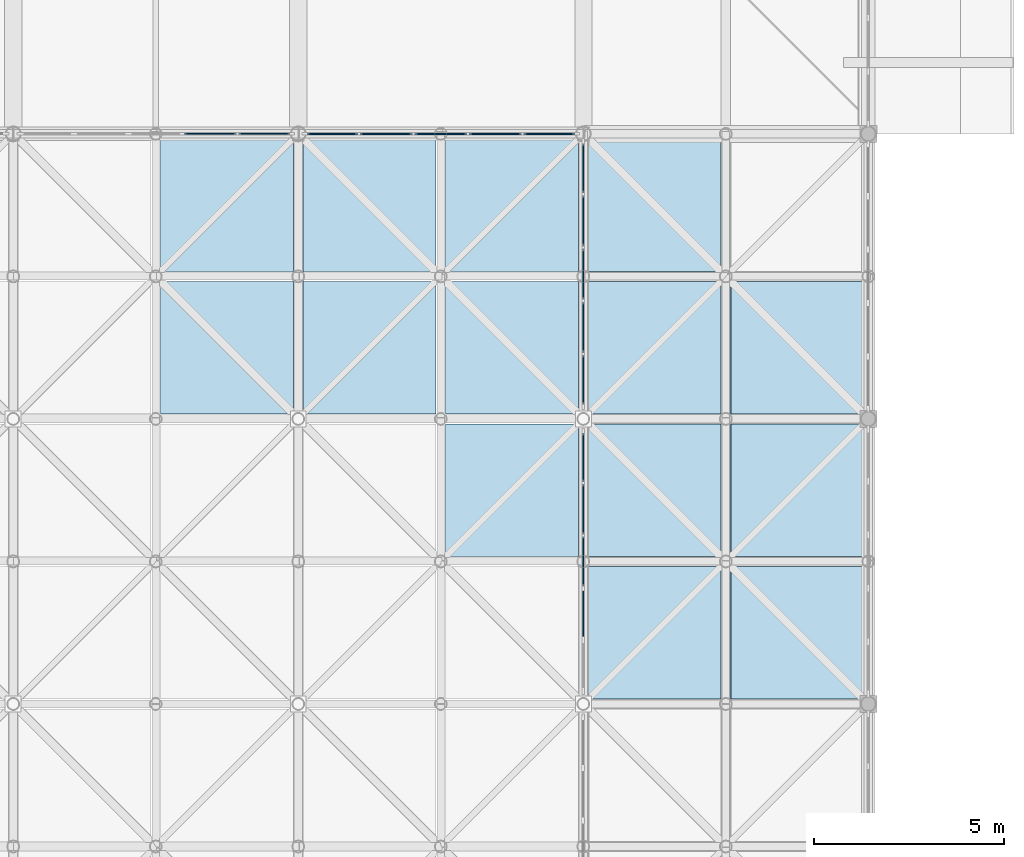
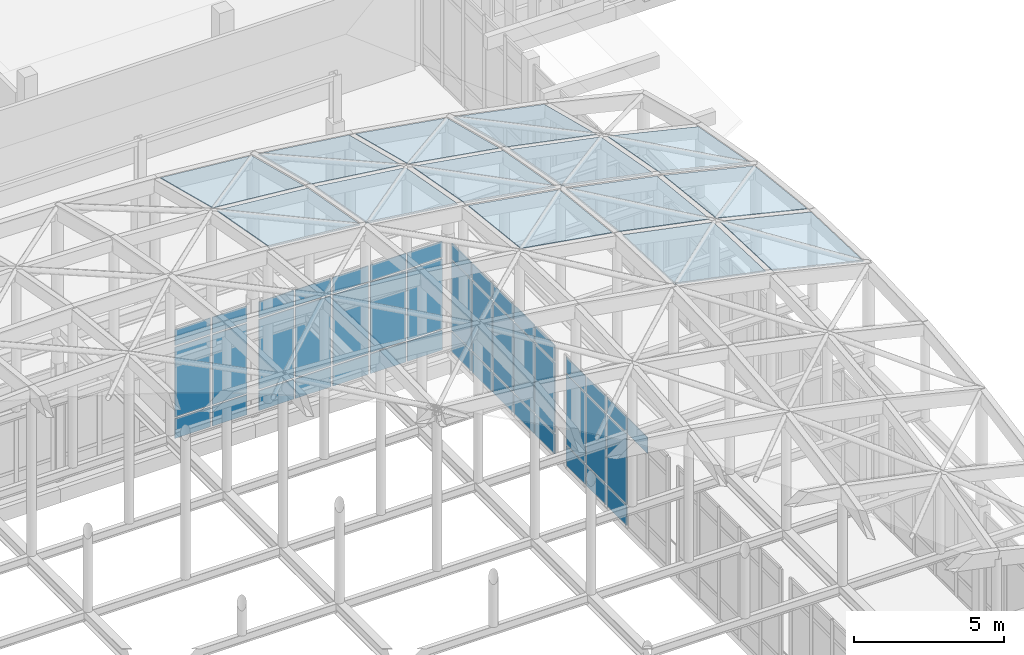
# One storey, part 85 of 131: 60 plates, 5 elements without a shape of their own.
"""IFC4 building model written with IfcOpenShell, lengths in metres."""

from ifc_helpers import new_model, si_unit, direction, frame, origin, origin_2d, place, context, subcontext, project, spatial, polyline, rectangle, outline, extrude, material, layer, layer_set, type_object, element, aggregate, save


model = new_model("IFC4")

# Units and contexts
model_context = context("Model", 3, precision=1e-05, world=origin(), true_north=direction((0.0, 1.0)))
body_context = subcontext(model_context, "Body", "Model", "MODEL_VIEW")
ifc_project = project(units=[si_unit("LENGTHUNIT", "METRE"), si_unit("AREAUNIT", "SQUARE_METRE"), si_unit("VOLUMEUNIT", "CUBIC_METRE"), si_unit("PLANEANGLEUNIT", "RADIAN"), si_unit("MASSUNIT", "GRAM", prefix="KILO")], contexts=[model_context])

# Site, building, storey
site_placement = place(None, origin())
site = spatial("IfcSite", under=ifc_project, at=site_placement, CompositionType="ELEMENT")
building_placement = place(site_placement, origin())
building = spatial("IfcBuilding", under=site, at=building_placement, Name="Dalvernix Boulevard General Hospital", CompositionType="ELEMENT")
storey_placement = place(building_placement, frame((0.0, 0.0, 9.300048828125)))
storey = spatial("IfcBuildingStorey", under=building, at=storey_placement, Name="L02", CompositionType="ELEMENT", Elevation=9.300048828125)

# Curtain wall, plates
ifc_material_1 = material(Name="Thermally broken aluminium and solar-control glass curtain wall", Category="aluminium")
ifc_layer_1 = layer(ifc_material_1, 0.179931640625)
ifc_layer_set_1 = layer_set([ifc_layer_1], Name="Thermally broken aluminium and solar-control glass curtain wall (CW-CW-B-72x46)")
curtain_wall_type_1 = type_object("IfcCurtainWallType", Name="CW-CW-B-72x46", PredefinedType="USERDEFINED", material=ifc_layer_set_1)
curtain_wall_1_placement = place(storey_placement, origin())
curtain_wall_1 = element("IfcCurtainWall", 1, at=curtain_wall_1_placement, inside=storey, type_object=curtain_wall_type_1, Name="L02 curtain wall CW-B-72x46 12-8", ObjectType="GLAZED FACADE", PredefinedType="USERDEFINED")
ifc_material_2 = material(Name="Double-glazed solar-control low-emissivity glass", Category="glass")
ifc_layer_2 = layer(ifc_material_2, 0.028076171875)
ifc_layer_set_2 = layer_set([ifc_layer_2], Name="Double-glazed solar-control low-emissivity glass (PLT-CW-P2)")
plate_type_1 = type_object("IfcPlateType", Name="PLT-CW-P2", PredefinedType="CURTAIN_PANEL", material=ifc_layer_set_2)
plate_1_placement = place(storey_placement, frame((96.605712890625, 61.5, 0.06494140625), z_axis=(0.0, 0.0, 1.0), x_axis=(-1.0, 0.0, 0.0)))
plate_1 = element("IfcPlate", 2, at=plate_1_placement, type_object=plate_type_1, Name="CW-B-72x46 panel 1.1", PredefinedType="CURTAIN_PANEL", context=body_context, shape_type="SweptSolid", body=[
    extrude(rectangle(XDim=1.33837890625, YDim=0.028076171875, at=origin_2d()), origin(), (0.0, 0.0, 1.0), 0.802490234375),
])
plate_2_placement = place(storey_placement, frame((96.605712890625, 61.5, 0.932373046875), z_axis=(0.0, 0.0, 1.0), x_axis=(-1.0, 0.0, 0.0)))
plate_2 = element("IfcPlate", 3, at=plate_2_placement, type_object=plate_type_1, Name="CW-B-72x46 panel 1.2", PredefinedType="CURTAIN_PANEL", context=body_context, shape_type="SweptSolid", body=[
    extrude(rectangle(XDim=1.33837890625, YDim=0.028076171875, at=origin_2d()), origin(), (0.0, 0.0, 1.0), 2.8349609375),
])
plate_3_placement = place(storey_placement, frame((96.605712890625, 61.5, 3.83251953125), z_axis=(0.0, 0.0, 1.0), x_axis=(-1.0, 0.0, 0.0)))
plate_3 = element("IfcPlate", 4, at=plate_3_placement, type_object=plate_type_1, Name="CW-B-72x46 panel 1.3", PredefinedType="CURTAIN_PANEL", context=body_context, shape_type="SweptSolid", body=[
    extrude(rectangle(XDim=1.33837890625, YDim=0.028076171875, at=origin_2d()), origin(), (0.0, 0.0, 1.0), 0.652587890625),
])
plate_4_placement = place(storey_placement, frame((95.18603515625, 61.5, 0.06494140625), z_axis=(0.0, 0.0, 1.0), x_axis=(-1.0, 0.0, 0.0)))
plate_4 = element("IfcPlate", 5, at=plate_4_placement, type_object=plate_type_1, Name="CW-B-72x46 panel 2.1", PredefinedType="CURTAIN_PANEL", context=body_context, shape_type="SweptSolid", body=[
    extrude(rectangle(XDim=1.37109375, YDim=0.028076171875, at=origin_2d()), origin(), (0.0, 0.0, 1.0), 0.802490234375),
])
plate_5_placement = place(storey_placement, frame((95.18603515625, 61.5, 0.932373046875), z_axis=(0.0, 0.0, 1.0), x_axis=(-1.0, 0.0, 0.0)))
plate_5 = element("IfcPlate", 6, at=plate_5_placement, type_object=plate_type_1, Name="CW-B-72x46 panel 2.2", PredefinedType="CURTAIN_PANEL", context=body_context, shape_type="SweptSolid", body=[
    extrude(rectangle(XDim=1.37109375, YDim=0.028076171875, at=origin_2d()), origin(), (0.0, 0.0, 1.0), 2.8349609375),
])
plate_6_placement = place(storey_placement, frame((95.18603515625, 61.5, 3.83251953125), z_axis=(0.0, 0.0, 1.0), x_axis=(-1.0, 0.0, 0.0)))
plate_6 = element("IfcPlate", 7, at=plate_6_placement, type_object=plate_type_1, Name="CW-B-72x46 panel 2.3", PredefinedType="CURTAIN_PANEL", context=body_context, shape_type="SweptSolid", body=[
    extrude(rectangle(XDim=1.37109375, YDim=0.028076171875, at=origin_2d()), origin(), (0.0, 0.0, 1.0), 0.652587890625),
])
aggregate(curtain_wall_1, [plate_1, plate_2, plate_3, plate_4, plate_5, plate_6])

ifc_layer_3 = layer(ifc_material_1, 0.179931640625)
ifc_layer_set_3 = layer_set([ifc_layer_3], Name="Thermally broken aluminium and solar-control glass curtain wall (CW-CW-B-69x46)")
curtain_wall_type_2 = type_object("IfcCurtainWallType", Name="CW-CW-B-69x46", PredefinedType="USERDEFINED", material=ifc_layer_set_3)
curtain_wall_2_placement = place(storey_placement, origin())
curtain_wall_2 = element("IfcCurtainWall", 8, at=curtain_wall_2_placement, inside=storey, type_object=curtain_wall_type_2, Name="L02 curtain wall CW-B-69x46 14-6", ObjectType="GLAZED FACADE", PredefinedType="USERDEFINED")
plate_7_placement = place(storey_placement, frame((105.0, 48.8740234375, 3.83251953125), z_axis=(0.0, 0.0, 1.0), x_axis=(0.0, 1.0, 0.0)))
plate_7 = element("IfcPlate", 9, at=plate_7_placement, type_object=plate_type_1, Name="CW-B-69x46 panel 2.3", PredefinedType="CURTAIN_PANEL", context=body_context, shape_type="SweptSolid", body=[
    extrude(rectangle(XDim=1.31103515625, YDim=0.028076171875, at=origin_2d()), origin(), (0.0, 0.0, 1.0), 0.652587890625),
])
plate_8_placement = place(storey_placement, frame((105.0, 50.25, 0.06494140625), z_axis=(0.0, 0.0, 1.0), x_axis=(0.0, 1.0, 0.0)))
plate_8 = element("IfcPlate", 10, at=plate_8_placement, type_object=plate_type_1, Name="CW-B-69x46 panel 3.1", PredefinedType="CURTAIN_PANEL", context=body_context, shape_type="SweptSolid", body=[
    extrude(rectangle(XDim=1.31103515625, YDim=0.028076171875, at=origin_2d()), origin(), (0.0, 0.0, 1.0), 0.802490234375),
])
plate_9_placement = place(storey_placement, frame((105.0, 50.25, 0.932373046875), z_axis=(0.0, 0.0, 1.0), x_axis=(0.0, 1.0, 0.0)))
plate_9 = element("IfcPlate", 11, at=plate_9_placement, type_object=plate_type_1, Name="CW-B-69x46 panel 3.2", PredefinedType="CURTAIN_PANEL", context=body_context, shape_type="SweptSolid", body=[
    extrude(rectangle(XDim=1.31103515625, YDim=0.028076171875, at=origin_2d()), origin(), (0.0, 0.0, 1.0), 2.8349609375),
])
plate_10_placement = place(storey_placement, frame((105.0, 50.25, 3.83251953125), z_axis=(0.0, 0.0, 1.0), x_axis=(0.0, 1.0, 0.0)))
plate_10 = element("IfcPlate", 12, at=plate_10_placement, type_object=plate_type_1, Name="CW-B-69x46 panel 3.3", PredefinedType="CURTAIN_PANEL", context=body_context, shape_type="SweptSolid", body=[
    extrude(rectangle(XDim=1.31103515625, YDim=0.028076171875, at=origin_2d()), origin(), (0.0, 0.0, 1.0), 0.652587890625),
])
plate_11_placement = place(storey_placement, frame((105.0, 51.6259765625, 0.06494140625), z_axis=(0.0, 0.0, 1.0), x_axis=(0.0, 1.0, 0.0)))
plate_11 = element("IfcPlate", 13, at=plate_11_placement, type_object=plate_type_1, Name="CW-B-69x46 panel 4.1", PredefinedType="CURTAIN_PANEL", context=body_context, shape_type="SweptSolid", body=[
    extrude(rectangle(XDim=1.31103515625, YDim=0.028076171875, at=origin_2d()), origin(), (0.0, 0.0, 1.0), 0.802490234375),
])
plate_12_placement = place(storey_placement, frame((105.0, 51.6259765625, 0.932373046875), z_axis=(0.0, 0.0, 1.0), x_axis=(0.0, 1.0, 0.0)))
plate_12 = element("IfcPlate", 14, at=plate_12_placement, type_object=plate_type_1, Name="CW-B-69x46 panel 4.2", PredefinedType="CURTAIN_PANEL", context=body_context, shape_type="SweptSolid", body=[
    extrude(rectangle(XDim=1.31103515625, YDim=0.028076171875, at=origin_2d()), origin(), (0.0, 0.0, 1.0), 2.8349609375),
])
plate_13_placement = place(storey_placement, frame((105.0, 51.6259765625, 3.83251953125), z_axis=(0.0, 0.0, 1.0), x_axis=(0.0, 1.0, 0.0)))
plate_13 = element("IfcPlate", 15, at=plate_13_placement, type_object=plate_type_1, Name="CW-B-69x46 panel 4.3", PredefinedType="CURTAIN_PANEL", context=body_context, shape_type="SweptSolid", body=[
    extrude(rectangle(XDim=1.31103515625, YDim=0.028076171875, at=origin_2d()), origin(), (0.0, 0.0, 1.0), 0.652587890625),
])
plate_14_placement = place(storey_placement, frame((105.0, 52.98583984375, 0.06494140625), z_axis=(0.0, 0.0, 1.0), x_axis=(0.0, 1.0, 0.0)))
plate_14 = element("IfcPlate", 16, at=plate_14_placement, type_object=plate_type_1, Name="CW-B-69x46 panel 5.1", PredefinedType="CURTAIN_PANEL", context=body_context, shape_type="SweptSolid", body=[
    extrude(rectangle(XDim=1.278564453125, YDim=0.028076171875, at=origin_2d()), origin(), (0.0, 0.0, 1.0), 0.802490234375),
])
plate_15_placement = place(storey_placement, frame((105.0, 52.98583984375, 0.932373046875), z_axis=(0.0, 0.0, 1.0), x_axis=(0.0, 1.0, 0.0)))
plate_15 = element("IfcPlate", 17, at=plate_15_placement, type_object=plate_type_1, Name="CW-B-69x46 panel 5.2", PredefinedType="CURTAIN_PANEL", context=body_context, shape_type="SweptSolid", body=[
    extrude(rectangle(XDim=1.278564453125, YDim=0.028076171875, at=origin_2d()), origin(), (0.0, 0.0, 1.0), 2.8349609375),
])
plate_16_placement = place(storey_placement, frame((105.0, 52.98583984375, 3.83251953125), z_axis=(0.0, 0.0, 1.0), x_axis=(0.0, 1.0, 0.0)))
plate_16 = element("IfcPlate", 18, at=plate_16_placement, type_object=plate_type_1, Name="CW-B-69x46 panel 5.3", PredefinedType="CURTAIN_PANEL", context=body_context, shape_type="SweptSolid", body=[
    extrude(rectangle(XDim=1.278564453125, YDim=0.028076171875, at=origin_2d()), origin(), (0.0, 0.0, 1.0), 0.652587890625),
])
aggregate(curtain_wall_2, [plate_7, plate_8, plate_9, plate_10, plate_11, plate_12, plate_13, plate_14, plate_15, plate_16])

ifc_layer_4 = layer(ifc_material_1, 0.199951171875)
ifc_layer_set_4 = layer_set([ifc_layer_4], Name="Thermally broken aluminium and solar-control glass curtain wall (CW-CW-C-72x46)")
curtain_wall_type_3 = type_object("IfcCurtainWallType", Name="CW-CW-C-72x46", PredefinedType="USERDEFINED", material=ifc_layer_set_4)
curtain_wall_3_placement = place(storey_placement, origin())
curtain_wall_3 = element("IfcCurtainWall", 19, at=curtain_wall_3_placement, inside=storey, type_object=curtain_wall_type_3, Name="L02 curtain wall CW-C-72x46 13-8", ObjectType="GLAZED FACADE", PredefinedType="USERDEFINED")
ifc_layer_5 = layer(ifc_material_2, 0.035888671875)
ifc_layer_set_5 = layer_set([ifc_layer_5], Name="Double-glazed solar-control low-emissivity glass (PLT-CW-P3)")
plate_type_2 = type_object("IfcPlateType", Name="PLT-CW-P3", PredefinedType="CURTAIN_PANEL", material=ifc_layer_set_5)
plate_17_placement = place(storey_placement, frame((104.1044921875, 61.5, 0.070068359375), z_axis=(0.0, 0.0, 1.0), x_axis=(-1.0, 0.0, 0.0)))
plate_17 = element("IfcPlate", 20, at=plate_17_placement, type_object=plate_type_2, Name="CW-C-72x46 panel 1.1", PredefinedType="CURTAIN_PANEL", context=body_context, shape_type="SweptSolid", body=[
    extrude(rectangle(XDim=1.3310546875, YDim=0.035888671875, at=origin_2d()), origin(), (0.0, 0.0, 1.0), 0.794921875),
])
plate_18_placement = place(storey_placement, frame((104.1044921875, 61.5, 0.934814453125), z_axis=(0.0, 0.0, 1.0), x_axis=(-1.0, 0.0, 0.0)))
plate_18 = element("IfcPlate", 21, at=plate_18_placement, type_object=plate_type_2, Name="CW-C-72x46 panel 1.2", PredefinedType="CURTAIN_PANEL", context=body_context, shape_type="SweptSolid", body=[
    extrude(rectangle(XDim=1.3310546875, YDim=0.035888671875, at=origin_2d()), origin(), (0.0, 0.0, 1.0), 2.830078125),
])
plate_19_placement = place(storey_placement, frame((104.1044921875, 61.5, 3.8349609375), z_axis=(0.0, 0.0, 1.0), x_axis=(-1.0, 0.0, 0.0)))
plate_19 = element("IfcPlate", 22, at=plate_19_placement, type_object=plate_type_2, Name="CW-C-72x46 panel 1.3", PredefinedType="CURTAIN_PANEL", context=body_context, shape_type="SweptSolid", body=[
    extrude(rectangle(XDim=1.3310546875, YDim=0.035888671875, at=origin_2d()), origin(), (0.0, 0.0, 1.0), 0.64501953125),
])
plate_20_placement = place(storey_placement, frame((102.68603515625, 61.5, 0.070068359375), z_axis=(0.0, 0.0, 1.0), x_axis=(-1.0, 0.0, 0.0)))
plate_20 = element("IfcPlate", 23, at=plate_20_placement, type_object=plate_type_2, Name="CW-C-72x46 panel 2.1", PredefinedType="CURTAIN_PANEL", context=body_context, shape_type="SweptSolid", body=[
    extrude(rectangle(XDim=1.365966796875, YDim=0.035888671875, at=origin_2d()), origin(), (0.0, 0.0, 1.0), 0.794921875),
])
plate_21_placement = place(storey_placement, frame((102.68603515625, 61.5, 0.934814453125), z_axis=(0.0, 0.0, 1.0), x_axis=(-1.0, 0.0, 0.0)))
plate_21 = element("IfcPlate", 24, at=plate_21_placement, type_object=plate_type_2, Name="CW-C-72x46 panel 2.2", PredefinedType="CURTAIN_PANEL", context=body_context, shape_type="SweptSolid", body=[
    extrude(rectangle(XDim=1.365966796875, YDim=0.035888671875, at=origin_2d()), origin(), (0.0, 0.0, 1.0), 2.830078125),
])
plate_22_placement = place(storey_placement, frame((102.68603515625, 61.5, 3.8349609375), z_axis=(0.0, 0.0, 1.0), x_axis=(-1.0, 0.0, 0.0)))
plate_22 = element("IfcPlate", 25, at=plate_22_placement, type_object=plate_type_2, Name="CW-C-72x46 panel 2.3", PredefinedType="CURTAIN_PANEL", context=body_context, shape_type="SweptSolid", body=[
    extrude(rectangle(XDim=1.365966796875, YDim=0.035888671875, at=origin_2d()), origin(), (0.0, 0.0, 1.0), 0.64501953125),
])
plate_23_placement = place(storey_placement, frame((101.25, 61.5, 0.070068359375), z_axis=(0.0, 0.0, 1.0), x_axis=(-1.0, 0.0, 0.0)))
plate_23 = element("IfcPlate", 26, at=plate_23_placement, type_object=plate_type_2, Name="CW-C-72x46 panel 3.1", PredefinedType="CURTAIN_PANEL", context=body_context, shape_type="SweptSolid", body=[
    extrude(rectangle(XDim=1.365966796875, YDim=0.035888671875, at=origin_2d()), origin(), (0.0, 0.0, 1.0), 0.794921875),
])
plate_24_placement = place(storey_placement, frame((101.25, 61.5, 0.934814453125), z_axis=(0.0, 0.0, 1.0), x_axis=(-1.0, 0.0, 0.0)))
plate_24 = element("IfcPlate", 27, at=plate_24_placement, type_object=plate_type_2, Name="CW-C-72x46 panel 3.2", PredefinedType="CURTAIN_PANEL", context=body_context, shape_type="SweptSolid", body=[
    extrude(rectangle(XDim=1.365966796875, YDim=0.035888671875, at=origin_2d()), origin(), (0.0, 0.0, 1.0), 2.830078125),
])
plate_25_placement = place(storey_placement, frame((101.25, 61.5, 3.8349609375), z_axis=(0.0, 0.0, 1.0), x_axis=(-1.0, 0.0, 0.0)))
plate_25 = element("IfcPlate", 28, at=plate_25_placement, type_object=plate_type_2, Name="CW-C-72x46 panel 3.3", PredefinedType="CURTAIN_PANEL", context=body_context, shape_type="SweptSolid", body=[
    extrude(rectangle(XDim=1.365966796875, YDim=0.035888671875, at=origin_2d()), origin(), (0.0, 0.0, 1.0), 0.64501953125),
])
plate_26_placement = place(storey_placement, frame((99.81396484375, 61.5, 0.070068359375), z_axis=(0.0, 0.0, 1.0), x_axis=(-1.0, 0.0, 0.0)))
plate_26 = element("IfcPlate", 29, at=plate_26_placement, type_object=plate_type_2, Name="CW-C-72x46 panel 4.1", PredefinedType="CURTAIN_PANEL", context=body_context, shape_type="SweptSolid", body=[
    extrude(rectangle(XDim=1.365966796875, YDim=0.035888671875, at=origin_2d()), origin(), (0.0, 0.0, 1.0), 0.794921875),
])
plate_27_placement = place(storey_placement, frame((99.81396484375, 61.5, 0.934814453125), z_axis=(0.0, 0.0, 1.0), x_axis=(-1.0, 0.0, 0.0)))
plate_27 = element("IfcPlate", 30, at=plate_27_placement, type_object=plate_type_2, Name="CW-C-72x46 panel 4.2", PredefinedType="CURTAIN_PANEL", context=body_context, shape_type="SweptSolid", body=[
    extrude(rectangle(XDim=1.365966796875, YDim=0.035888671875, at=origin_2d()), origin(), (0.0, 0.0, 1.0), 2.830078125),
])
plate_28_placement = place(storey_placement, frame((99.81396484375, 61.5, 3.8349609375), z_axis=(0.0, 0.0, 1.0), x_axis=(-1.0, 0.0, 0.0)))
plate_28 = element("IfcPlate", 31, at=plate_28_placement, type_object=plate_type_2, Name="CW-C-72x46 panel 4.3", PredefinedType="CURTAIN_PANEL", context=body_context, shape_type="SweptSolid", body=[
    extrude(rectangle(XDim=1.365966796875, YDim=0.035888671875, at=origin_2d()), origin(), (0.0, 0.0, 1.0), 0.64501953125),
])
plate_29_placement = place(storey_placement, frame((98.3955078125, 61.5, 0.070068359375), z_axis=(0.0, 0.0, 1.0), x_axis=(-1.0, 0.0, 0.0)))
plate_29 = element("IfcPlate", 32, at=plate_29_placement, type_object=plate_type_2, Name="CW-C-72x46 panel 5.1", PredefinedType="CURTAIN_PANEL", context=body_context, shape_type="SweptSolid", body=[
    extrude(rectangle(XDim=1.3310546875, YDim=0.035888671875, at=origin_2d()), origin(), (0.0, 0.0, 1.0), 0.794921875),
])
plate_30_placement = place(storey_placement, frame((98.3955078125, 61.5, 0.934814453125), z_axis=(0.0, 0.0, 1.0), x_axis=(-1.0, 0.0, 0.0)))
plate_30 = element("IfcPlate", 33, at=plate_30_placement, type_object=plate_type_2, Name="CW-C-72x46 panel 5.2", PredefinedType="CURTAIN_PANEL", context=body_context, shape_type="SweptSolid", body=[
    extrude(rectangle(XDim=1.3310546875, YDim=0.035888671875, at=origin_2d()), origin(), (0.0, 0.0, 1.0), 2.830078125),
])
plate_31_placement = place(storey_placement, frame((98.3955078125, 61.5, 3.8349609375), z_axis=(0.0, 0.0, 1.0), x_axis=(-1.0, 0.0, 0.0)))
plate_31 = element("IfcPlate", 34, at=plate_31_placement, type_object=plate_type_2, Name="CW-C-72x46 panel 5.3", PredefinedType="CURTAIN_PANEL", context=body_context, shape_type="SweptSolid", body=[
    extrude(rectangle(XDim=1.3310546875, YDim=0.035888671875, at=origin_2d()), origin(), (0.0, 0.0, 1.0), 0.64501953125),
])
aggregate(curtain_wall_3, [plate_17, plate_18, plate_19, plate_20, plate_21, plate_22, plate_23, plate_24, plate_25, plate_26, plate_27, plate_28, plate_29, plate_30, plate_31])

ifc_layer_6 = layer(ifc_material_1, 0.199951171875)
ifc_layer_set_6 = layer_set([ifc_layer_6], Name="Thermally broken aluminium and solar-control glass curtain wall (CW-CW-C-70x46)")
curtain_wall_type_4 = type_object("IfcCurtainWallType", Name="CW-CW-C-70x46", PredefinedType="USERDEFINED", material=ifc_layer_set_6)
curtain_wall_4_placement = place(storey_placement, origin())
curtain_wall_4 = element("IfcCurtainWall", 35, at=curtain_wall_4_placement, inside=storey, type_object=curtain_wall_type_4, Name="L02 curtain wall CW-C-70x46 14-7", ObjectType="GLAZED FACADE", PredefinedType="USERDEFINED")
plate_32_placement = place(storey_placement, frame((105.0, 55.027587890625, 0.070068359375), z_axis=(0.0, 0.0, 1.0), x_axis=(0.0, 1.0, 0.0)))
plate_32 = element("IfcPlate", 36, at=plate_32_placement, type_object=plate_type_2, Name="CW-C-70x46 panel 1.1", PredefinedType="CURTAIN_PANEL", context=body_context, shape_type="SweptSolid", body=[
    extrude(rectangle(XDim=1.294921875, YDim=0.035888671875, at=origin_2d()), origin(), (0.0, 0.0, 1.0), 0.794921875),
])
plate_33_placement = place(storey_placement, frame((105.0, 55.027587890625, 0.934814453125), z_axis=(0.0, 0.0, 1.0), x_axis=(0.0, 1.0, 0.0)))
plate_33 = element("IfcPlate", 37, at=plate_33_placement, type_object=plate_type_2, Name="CW-C-70x46 panel 1.2", PredefinedType="CURTAIN_PANEL", context=body_context, shape_type="SweptSolid", body=[
    extrude(rectangle(XDim=1.294921875, YDim=0.035888671875, at=origin_2d()), origin(), (0.0, 0.0, 1.0), 2.830078125),
])
plate_34_placement = place(storey_placement, frame((105.0, 55.027587890625, 3.8349609375), z_axis=(0.0, 0.0, 1.0), x_axis=(0.0, 1.0, 0.0)))
plate_34 = element("IfcPlate", 38, at=plate_34_placement, type_object=plate_type_2, Name="CW-C-70x46 panel 1.3", PredefinedType="CURTAIN_PANEL", context=body_context, shape_type="SweptSolid", body=[
    extrude(rectangle(XDim=1.294921875, YDim=0.035888671875, at=origin_2d()), origin(), (0.0, 0.0, 1.0), 0.64501953125),
])
plate_35_placement = place(storey_placement, frame((105.0, 56.409912109375, 0.070068359375), z_axis=(0.0, 0.0, 1.0), x_axis=(0.0, 1.0, 0.0)))
plate_35 = element("IfcPlate", 39, at=plate_35_placement, type_object=plate_type_2, Name="CW-C-70x46 panel 2.1", PredefinedType="CURTAIN_PANEL", context=body_context, shape_type="SweptSolid", body=[
    extrude(rectangle(XDim=1.330078125, YDim=0.035888671875, at=origin_2d()), origin(), (0.0, 0.0, 1.0), 0.794921875),
])
plate_36_placement = place(storey_placement, frame((105.0, 56.409912109375, 0.934814453125), z_axis=(0.0, 0.0, 1.0), x_axis=(0.0, 1.0, 0.0)))
plate_36 = element("IfcPlate", 40, at=plate_36_placement, type_object=plate_type_2, Name="CW-C-70x46 panel 2.2", PredefinedType="CURTAIN_PANEL", context=body_context, shape_type="SweptSolid", body=[
    extrude(rectangle(XDim=1.330078125, YDim=0.035888671875, at=origin_2d()), origin(), (0.0, 0.0, 1.0), 2.830078125),
])
plate_37_placement = place(storey_placement, frame((105.0, 56.409912109375, 3.8349609375), z_axis=(0.0, 0.0, 1.0), x_axis=(0.0, 1.0, 0.0)))
plate_37 = element("IfcPlate", 41, at=plate_37_placement, type_object=plate_type_2, Name="CW-C-70x46 panel 2.3", PredefinedType="CURTAIN_PANEL", context=body_context, shape_type="SweptSolid", body=[
    extrude(rectangle(XDim=1.330078125, YDim=0.035888671875, at=origin_2d()), origin(), (0.0, 0.0, 1.0), 0.64501953125),
])
plate_38_placement = place(storey_placement, frame((105.0, 57.81005859375, 0.070068359375), z_axis=(0.0, 0.0, 1.0), x_axis=(0.0, 1.0, 0.0)))
plate_38 = element("IfcPlate", 42, at=plate_38_placement, type_object=plate_type_2, Name="CW-C-70x46 panel 3.1", PredefinedType="CURTAIN_PANEL", context=body_context, shape_type="SweptSolid", body=[
    extrude(rectangle(XDim=1.330078125, YDim=0.035888671875, at=origin_2d()), origin(), (0.0, 0.0, 1.0), 0.794921875),
])
plate_39_placement = place(storey_placement, frame((105.0, 57.81005859375, 0.934814453125), z_axis=(0.0, 0.0, 1.0), x_axis=(0.0, 1.0, 0.0)))
plate_39 = element("IfcPlate", 43, at=plate_39_placement, type_object=plate_type_2, Name="CW-C-70x46 panel 3.2", PredefinedType="CURTAIN_PANEL", context=body_context, shape_type="SweptSolid", body=[
    extrude(rectangle(XDim=1.330078125, YDim=0.035888671875, at=origin_2d()), origin(), (0.0, 0.0, 1.0), 2.830078125),
])
plate_40_placement = place(storey_placement, frame((105.0, 57.81005859375, 3.8349609375), z_axis=(0.0, 0.0, 1.0), x_axis=(0.0, 1.0, 0.0)))
plate_40 = element("IfcPlate", 44, at=plate_40_placement, type_object=plate_type_2, Name="CW-C-70x46 panel 3.3", PredefinedType="CURTAIN_PANEL", context=body_context, shape_type="SweptSolid", body=[
    extrude(rectangle(XDim=1.330078125, YDim=0.035888671875, at=origin_2d()), origin(), (0.0, 0.0, 1.0), 0.64501953125),
])
plate_41_placement = place(storey_placement, frame((105.0, 59.2099609375, 0.070068359375), z_axis=(0.0, 0.0, 1.0), x_axis=(0.0, 1.0, 0.0)))
plate_41 = element("IfcPlate", 45, at=plate_41_placement, type_object=plate_type_2, Name="CW-C-70x46 panel 4.1", PredefinedType="CURTAIN_PANEL", context=body_context, shape_type="SweptSolid", body=[
    extrude(rectangle(XDim=1.330078125, YDim=0.035888671875, at=origin_2d()), origin(), (0.0, 0.0, 1.0), 0.794921875),
])
plate_42_placement = place(storey_placement, frame((105.0, 59.2099609375, 0.934814453125), z_axis=(0.0, 0.0, 1.0), x_axis=(0.0, 1.0, 0.0)))
plate_42 = element("IfcPlate", 46, at=plate_42_placement, type_object=plate_type_2, Name="CW-C-70x46 panel 4.2", PredefinedType="CURTAIN_PANEL", context=body_context, shape_type="SweptSolid", body=[
    extrude(rectangle(XDim=1.330078125, YDim=0.035888671875, at=origin_2d()), origin(), (0.0, 0.0, 1.0), 2.830078125),
])
plate_43_placement = place(storey_placement, frame((105.0, 59.2099609375, 3.8349609375), z_axis=(0.0, 0.0, 1.0), x_axis=(0.0, 1.0, 0.0)))
plate_43 = element("IfcPlate", 47, at=plate_43_placement, type_object=plate_type_2, Name="CW-C-70x46 panel 4.3", PredefinedType="CURTAIN_PANEL", context=body_context, shape_type="SweptSolid", body=[
    extrude(rectangle(XDim=1.330078125, YDim=0.035888671875, at=origin_2d()), origin(), (0.0, 0.0, 1.0), 0.64501953125),
])
plate_44_placement = place(storey_placement, frame((105.0, 60.592529296875, 0.070068359375), z_axis=(0.0, 0.0, 1.0), x_axis=(0.0, 1.0, 0.0)))
plate_44 = element("IfcPlate", 48, at=plate_44_placement, type_object=plate_type_2, Name="CW-C-70x46 panel 5.1", PredefinedType="CURTAIN_PANEL", context=body_context, shape_type="SweptSolid", body=[
    extrude(rectangle(XDim=1.294921875, YDim=0.035888671875, at=origin_2d()), origin(), (0.0, 0.0, 1.0), 0.794921875),
])
plate_45_placement = place(storey_placement, frame((105.0, 60.592529296875, 0.934814453125), z_axis=(0.0, 0.0, 1.0), x_axis=(0.0, 1.0, 0.0)))
plate_45 = element("IfcPlate", 49, at=plate_45_placement, type_object=plate_type_2, Name="CW-C-70x46 panel 5.2", PredefinedType="CURTAIN_PANEL", context=body_context, shape_type="SweptSolid", body=[
    extrude(rectangle(XDim=1.294921875, YDim=0.035888671875, at=origin_2d()), origin(), (0.0, 0.0, 1.0), 2.830078125),
])
plate_46_placement = place(storey_placement, frame((105.0, 60.592529296875, 3.8349609375), z_axis=(0.0, 0.0, 1.0), x_axis=(0.0, 1.0, 0.0)))
plate_46 = element("IfcPlate", 50, at=plate_46_placement, type_object=plate_type_2, Name="CW-C-70x46 panel 5.3", PredefinedType="CURTAIN_PANEL", context=body_context, shape_type="SweptSolid", body=[
    extrude(rectangle(XDim=1.294921875, YDim=0.035888671875, at=origin_2d()), origin(), (0.0, 0.0, 1.0), 0.64501953125),
])
aggregate(curtain_wall_4, [plate_32, plate_33, plate_34, plate_35, plate_36, plate_37, plate_38, plate_39, plate_40, plate_41, plate_42, plate_43, plate_44, plate_45, plate_46])

# Roof, plates
ifc_material_3 = material(Name="Polychrome Catalan glazed terracotta tile roof system", Category="masonry")
roof_type = type_object("IfcRoofType", Name="ROOF-HIP-01", PredefinedType="HIP_ROOF", material=ifc_material_3)
roof_placement = place(storey_placement, origin())
roof = element("IfcRoof", 51, at=roof_placement, inside=storey, type_object=roof_type, Name="V1 Arrival Hall and Botanical Conservatory Dome Vault Gridshell Roof", PredefinedType="HIP_ROOF")
ifc_material_4 = material(Name="Laminated solar-control glass", Category="glass")
ifc_layer_7 = layer(ifc_material_4, 0.031982421875)
ifc_layer_set_7 = layer_set([ifc_layer_7], Name="Laminated solar-control glass (PLT-GP-01)")
plate_type_3 = type_object("IfcPlateType", Name="PLT-GP-01", PredefinedType="SHEET", material=ifc_layer_set_7)
plate_47_placement = place(storey_placement, frame((93.8798828125, 54.1298828125, 12.54345703125), z_axis=(0.090617984685, 0.179557224096, 0.979564997398), x_axis=(0.995748264612, 6.125476e-06, -0.092116195562)))
plate_47 = element("IfcPlate", 52, at=plate_47_placement, type_object=plate_type_3, Name="Gridshell solar-control glazing panel 10-7", PredefinedType="SHEET", context=body_context, shape_type="SweptSolid", body=[
    extrude(outline(polyline([(0.0, 0.0), (3.5051481732472216, -6.938893903907228e-18), (3.564091533152636, 3.5478742624355393), (0.05896584921097216, 3.547917913128707), (0.0, 0.0)])), origin(), (0.0, 0.0, -1.0), 0.031982421875),
])
plate_48_placement = place(storey_placement, frame((93.8798828125, 57.8798828125, 11.846435546875), z_axis=(0.089280380213, 0.247596156464, 0.964740979234), x_axis=(0.99574517266, 0.0, -0.092149612719)))
plate_48 = element("IfcPlate", 53, at=plate_48_placement, type_object=plate_type_3, Name="Gridshell solar-control glazing panel 10-8", PredefinedType="SHEET", context=body_context, shape_type="SweptSolid", body=[
    extrude(outline(polyline([(0.0, 0.0), (3.505148175286846, 0.0), (3.5876913708595026, 3.6024011679466725), (0.08254319557265632, 3.602401167946672), (0.0, 0.0)])), origin(), (0.0, 0.0, -1.0), 0.031982421875),
])
plate_49_placement = place(storey_placement, frame((97.6298828125, 54.1298828125, 12.191650390625), z_axis=(0.126333714561, 0.178887447793, 0.975724896468), x_axis=(0.991721820954, 0.0, -0.128404944781)))
plate_49 = element("IfcPlate", 54, at=plate_49_placement, type_object=plate_type_3, Name="Gridshell solar-control glazing panel 11-7", PredefinedType="SHEET", context=body_context, shape_type="SweptSolid", body=[
    extrude(outline(polyline([(0.0, 0.0), (3.519368336216846, -1.3877787807814457e-17), (3.60153370737659, 3.547456462841127), (0.08216537115974437, 3.5474564628411276), (0.0, 0.0)])), origin(), (0.0, 0.0, -1.0), 0.031982421875),
])
plate_50_placement = place(storey_placement, frame((97.6298828125, 57.8798828125, 11.49462890625), z_axis=(0.124437606637, 0.246656714614, 0.961080510254), x_axis=(0.991721820954, 0.0, -0.128404944781)))
plate_50 = element("IfcPlate", 55, at=plate_50_placement, type_object=plate_type_3, Name="Gridshell solar-control glazing panel 11-8", PredefinedType="SHEET", context=body_context, shape_type="SweptSolid", body=[
    extrude(outline(polyline([(0.0, 0.0), (3.519368336216846, -1.3877787807814457e-17), (3.6343873162950993, 3.601510542561364), (0.1150189800782534, 3.601510542561364), (0.0, 0.0)])), origin(), (0.0, 0.0, -1.0), 0.031982421875),
])
plate_51_placement = place(storey_placement, frame((101.3798828125, 50.3798828125, 12.123291015625), z_axis=(0.163295130925, 0.107868764284, 0.980662546398), x_axis=(0.98641809116, 3.649466e-06, -0.164253917515)))
plate_51 = element("IfcPlate", 56, at=plate_51_placement, type_object=plate_type_3, Name="Gridshell solar-control glazing panel 12-6", PredefinedType="SHEET", context=body_context, shape_type="SweptSolid", body=[
    extrude(outline(polyline([(0.0, 0.0), (3.5383109396547825, 6.938893903907228e-18), (3.6013625341623703, 3.510705700998859), (0.0630916955616684, 3.510731678319323), (0.0, 0.0)])), origin(), (0.0, 0.0, -1.0), 0.031982421875),
])
plate_52_placement = place(storey_placement, frame((101.3798828125, 54.1298828125, 11.701171875), z_axis=(0.161632608852, 0.177928272, 0.970678334866), x_axis=(0.986417979227, 5.958465e-06, -0.164254589655)))
plate_52 = element("IfcPlate", 57, at=plate_52_placement, type_object=plate_type_3, Name="Gridshell solar-control glazing panel 12-7", PredefinedType="SHEET", context=body_context, shape_type="SweptSolid", body=[
    extrude(outline(polyline([(0.0, 0.0), (3.538310939695806, -1.3877787807814457e-17), (3.643396927758467, 3.546807442912655), (0.10512608928083843, 3.5468502922006024), (0.0, 0.0)])), origin(), (0.0, 0.0, -1.0), 0.031982421875),
])
plate_53_placement = place(storey_placement, frame((101.3798828125, 57.8798828125, 11.004150390625), z_axis=(0.159262846617, 0.24541595306, 0.956245970277), x_axis=(0.986412565919, 0.0, -0.164287095653)))
plate_53 = element("IfcPlate", 58, at=plate_53_placement, type_object=plate_type_3, Name="Gridshell solar-control glazing panel 12-8", PredefinedType="SHEET", context=body_context, shape_type="SweptSolid", body=[
    extrude(outline(polyline([(0.0, 0.0), (3.5383109416798204, 2.7755575615628914e-17), (3.685471428484024, 3.600340448496842), (0.1471604868042036, 3.600340448496842), (0.0, 0.0)])), origin(), (0.0, 0.0, -1.0), 0.031982421875),
])
plate_54_placement = place(storey_placement, frame((105.1298828125, 46.6298828125, 11.640869140625), z_axis=(0.199268791461, 0.035894412762, 0.979287261166), x_axis=(0.979918732622, 0.0, -0.199397285478)))
plate_54 = element("IfcPlate", 59, at=plate_54_placement, type_object=plate_type_3, Name="Gridshell solar-control glazing panel 13-5", PredefinedType="SHEET", context=body_context, shape_type="SweptSolid", body=[
    extrude(outline(polyline([(0.0, 0.0), (3.5617590100154413, 3.469446951953614e-18), (3.58726784243503, 3.4924849744621773), (0.02550883241958878, 3.4924849744621778), (0.0, 0.0)])), origin(), (0.0, 0.0, -1.0), 0.031982421875),
])
plate_55_placement = place(storey_placement, frame((105.1298828125, 50.3798828125, 11.493896484375), z_axis=(0.19831517465, 0.107131084038, 0.974265888932), x_axis=(0.97990533738, 0.0, -0.19946310379)))
plate_55 = element("IfcPlate", 60, at=plate_55_placement, type_object=plate_type_3, Name="Gridshell solar-control glazing panel 13-6", PredefinedType="SHEET", context=body_context, shape_type="SweptSolid", body=[
    extrude(outline(polyline([(0.0, 0.0), (3.5618076990278587, -1.3877787807814457e-17), (3.638359456634632, 3.5104372755161974), (0.07655175760677342, 3.5104372755161974), (0.0, 0.0)])), origin(), (0.0, 0.0, -1.0), 0.031982421875),
])
plate_56_placement = place(storey_placement, frame((105.1298828125, 54.1298828125, 11.07177734375), z_axis=(0.196288835097, 0.176791507947, 0.964476778328), x_axis=(0.979912244828, -5.843845e-06, -0.199429166377)))
plate_56 = element("IfcPlate", 61, at=plate_56_placement, type_object=plate_type_3, Name="Gridshell solar-control glazing panel 13-7", PredefinedType="SHEET", context=body_context, shape_type="SweptSolid", body=[
    extrude(outline(polyline([(0.0, 0.0), (3.5617590080695924, 1.3877787807814457e-17), (3.6893518551068407, 3.5461131616877006), (0.1275441582759254, 3.5460708664458793), (0.0, 0.0)])), origin(), (0.0, 0.0, -1.0), 0.031982421875),
])
plate_57_placement = place(storey_placement, frame((105.1298828125, 57.8798828125, 10.374755859375), z_axis=(0.193375729182, 0.243896717211, 0.95032637483), x_axis=(0.979918732622, 0.0, -0.199397285478)))
plate_57 = element("IfcPlate", 62, at=plate_57_placement, type_object=plate_type_3, Name="Gridshell solar-control glazing panel 13-8", PredefinedType="SHEET", context=body_context, shape_type="SweptSolid", body=[
    extrude(outline(polyline([(0.0, 0.0), (3.5617590100154417, -2.7755575615628914e-17), (3.7403695179304632, 3.59891731502979), (0.17861050791502145, 3.59891731502979), (0.0, 0.0)])), origin(), (0.0, 0.0, -1.0), 0.031982421875),
])
plate_58_placement = place(storey_placement, frame((108.8798828125, 46.6298828125, 10.872802734375), z_axis=(0.23367216247, 0.035614954373, 0.971662953658), x_axis=(0.972279781299, 0.0, -0.233820501406)))
plate_58 = element("IfcPlate", 63, at=plate_58_placement, type_object=plate_type_3, Name="Gridshell solar-control glazing panel 14-5", PredefinedType="SHEET", context=body_context, shape_type="SweptSolid", body=[
    extrude(outline(polyline([(0.0, 0.0), (3.5897428313671966, 3.469446951953614e-18), (3.6196554150431997, 3.492450033245045), (0.029912583676003097, 3.492450033245045), (0.0, 0.0)])), origin(), (0.0, 0.0, -1.0), 0.031982421875),
])
plate_59_placement = place(storey_placement, frame((108.8798828125, 50.3798828125, 10.725830078125), z_axis=(0.232559495641, 0.106305183817, 0.96675503044), x_axis=(0.972264317957, 0.0, -0.233884792211)))
plate_59 = element("IfcPlate", 64, at=plate_59_placement, type_object=plate_type_3, Name="Gridshell solar-control glazing panel 14-6", PredefinedType="SHEET", context=body_context, shape_type="SweptSolid", body=[
    extrude(outline(polyline([(0.0, 0.0), (3.5897999242986085, 0.0), (3.6795623494344203, 3.5101243202997825), (0.08976242513581202, 3.5101243202997825), (0.0, 0.0)])), origin(), (0.0, 0.0, -1.0), 0.031982421875),
])
plate_60_placement = place(storey_placement, frame((108.8798828125, 54.1298828125, 10.303955078125), z_axis=(0.230255316524, 0.175486823091, 0.957176506259), x_axis=(0.972264317957, 0.0, -0.233884792211)))
plate_60 = element("IfcPlate", 65, at=plate_60_placement, type_object=plate_type_3, Name="Gridshell solar-control glazing panel 14-7", PredefinedType="SHEET", context=body_context, shape_type="SweptSolid", body=[
    extrude(outline(polyline([(0.0, 0.0), (3.5897999242986085, 0.0), (3.7394610669709767, 3.54525035030604), (0.14966114267236852, 3.5452503503060404), (0.0, 0.0)])), origin(), (0.0, 0.0, -1.0), 0.031982421875),
])
aggregate(roof, [plate_47, plate_48, plate_49, plate_50, plate_51, plate_52, plate_53, plate_54, plate_55, plate_56, plate_57, plate_58, plate_59, plate_60])

save(model, "model.ifc")
